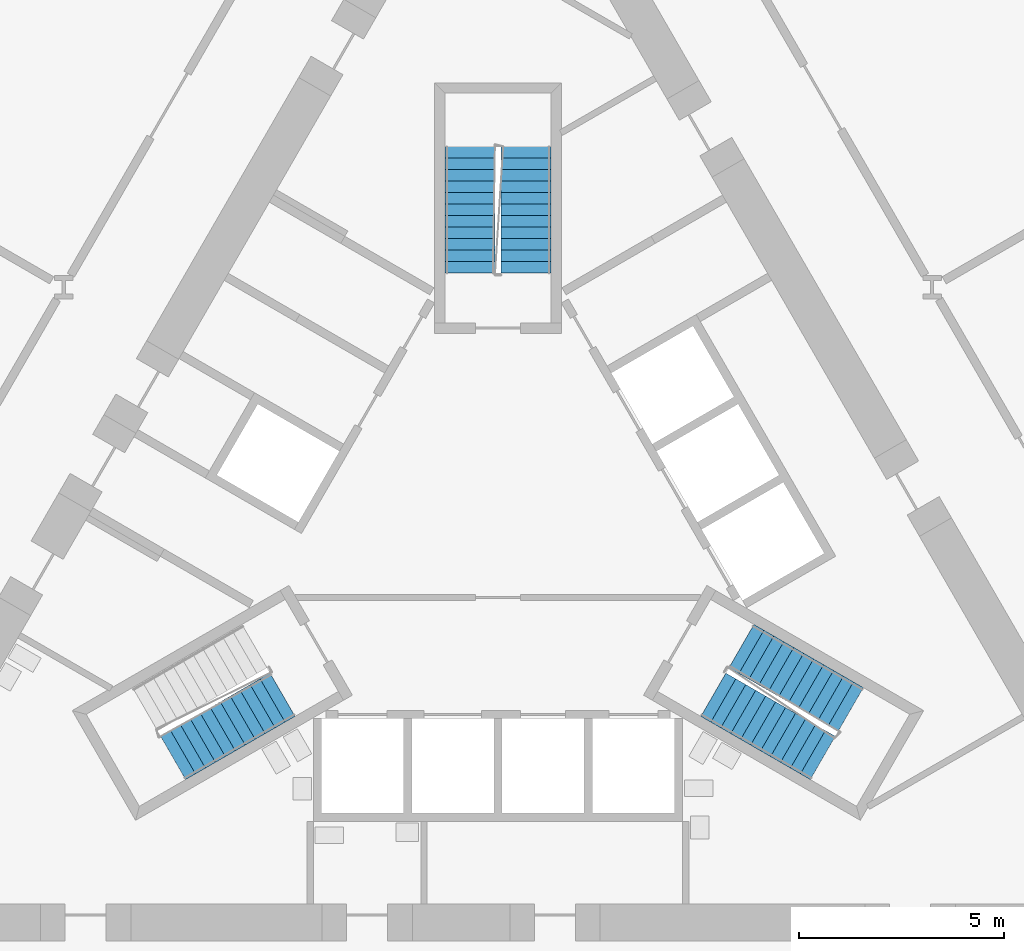
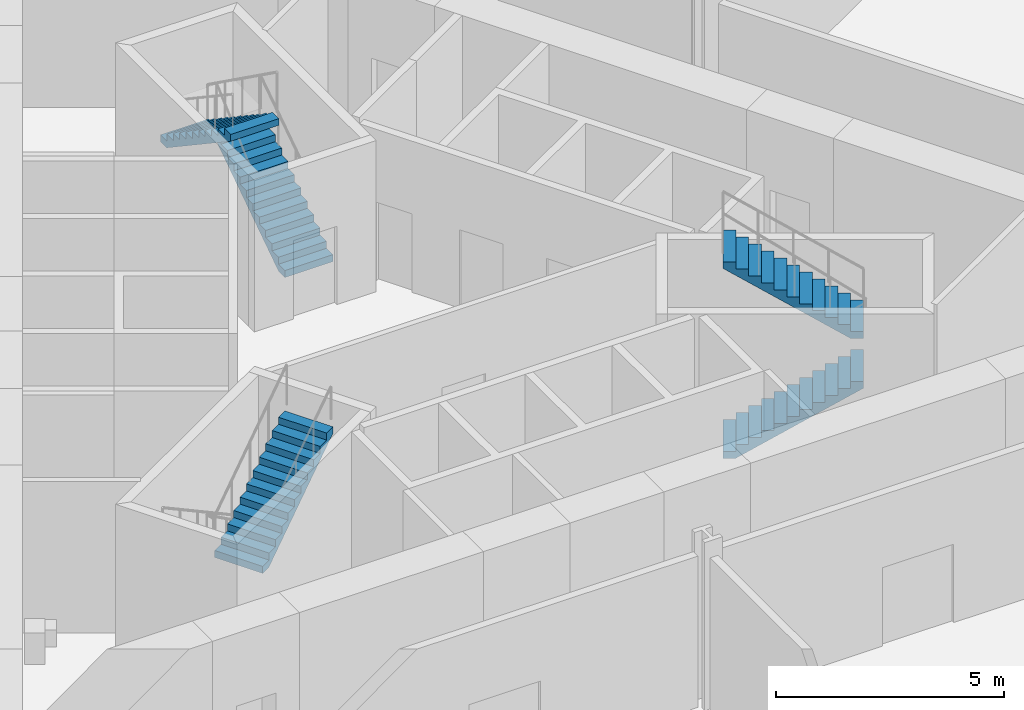
# One storey, part 6 of 8: 5 stair flights, 3 elements without a shape of their own.
"""IFC4 building model written with IfcOpenShell, lengths in metres."""

import ifcopenshell
import ifcopenshell.guid

model = None  # the IFC model being written
_history = None  # IfcOwnerHistory: only IFC2X3 demands one
_inside = {}  # id of a spatial element -> (the spatial element, [elements in it])
_under = {}  # id of a project, library or spatial element -> (it, [spatial elements below it])
_declared = {}  # id of a project -> (the project, [libraries it declares])
_typed = {}  # id of a type object -> (the type object, [elements of that type])
_made_of = {}  # id of a material, layer set ... -> (it, [elements and type objects made of it])


def new_model(schema):
    """Start an empty IFC model of exactly this schema.

    Asked for "IFC4X3", IfcOpenShell would pick the latest addendum, in which some entities
    have other attributes; the version numbers below select the first issue.
    IFC2X3 requires an IfcOwnerHistory on every rooted entity: one is made here for all.
    """
    global model, _history
    if schema == "IFC4X3":
        model = ifcopenshell.file(schema_version=(4, 3, 0, 0))
    else:
        model = ifcopenshell.file(schema=schema)
    _inside.clear()
    _under.clear()
    _declared.clear()
    _typed.clear()
    _made_of.clear()
    _history = None
    if model.schema == "IFC2X3":
        org = make("IfcOrganization", Name="unknown")
        user = make(
            "IfcPersonAndOrganization",
            ThePerson=make("IfcPerson", FamilyName="unknown"),
            TheOrganization=org,
        )
        app = make(
            "IfcApplication",
            ApplicationDeveloper=org,
            Version="unknown",
            ApplicationFullName="unknown",
            ApplicationIdentifier="unknown",
        )
        _history = make(
            "IfcOwnerHistory",
            OwningUser=user,
            OwningApplication=app,
            ChangeAction="ADDED",
            CreationDate=0,
        )
    return model


def make(cls, **values):
    """One entity of the class cls with the attributes given. An attribute that is None is left unset."""
    return model.create_entity(
        cls, **{name: value for name, value in values.items() if value is not None}
    )


def rooted(cls, **values):
    """An entity with a GlobalId (a new one), such as an element, a storey or a relation."""
    return make(cls, GlobalId=ifcopenshell.guid.new(), OwnerHistory=_history, **values)


def si_unit(unit_type, name, prefix=None):
    """IfcSIUnit, for example si_unit("LENGTHUNIT", "METRE", prefix="MILLI")."""
    return make("IfcSIUnit", UnitType=unit_type, Prefix=prefix, Name=name)


def assignment(units):
    """IfcUnitAssignment: the units of a project."""
    return None if units is None else make("IfcUnitAssignment", Units=units)


def point(xyz):
    """IfcCartesianPoint."""
    return None if xyz is None else make("IfcCartesianPoint", Coordinates=xyz)


def direction(xyz):
    """IfcDirection."""
    return None if xyz is None else make("IfcDirection", DirectionRatios=xyz)


def frame(location, z_axis=None, x_axis=None):
    """IfcAxis2Placement3D, a coordinate frame: its origin and axes. An axis left out is left unset."""
    return make(
        "IfcAxis2Placement3D",
        Location=point(location),
        Axis=direction(z_axis),
        RefDirection=direction(x_axis),
    )


def origin():
    """The frame at (0, 0, 0) with its axes left unset."""
    return frame((0.0, 0.0, 0.0))


def place(relative_to, where):
    """IfcLocalPlacement: puts the frame where relative to a parent placement (None: the world)."""
    return make(
        "IfcLocalPlacement", PlacementRelTo=relative_to, RelativePlacement=where
    )


def context(
    kind, dimensions, precision=None, world=None, true_north=None, identifier=None
):
    """IfcGeometricRepresentationContext, for example the 3D "Model" context."""
    return make(
        "IfcGeometricRepresentationContext",
        ContextIdentifier=identifier,
        ContextType=kind,
        CoordinateSpaceDimension=dimensions,
        Precision=precision,
        WorldCoordinateSystem=world,
        TrueNorth=true_north,
    )


def subcontext(parent, identifier, kind, view, scale=None):
    """IfcGeometricRepresentationSubContext, for example "Body" below "Model"."""
    return make(
        "IfcGeometricRepresentationSubContext",
        ContextIdentifier=identifier,
        ContextType=kind,
        ParentContext=parent,
        TargetScale=scale,
        TargetView=view,
    )


def project(units=None, contexts=None):
    """IfcProject with its units and contexts."""
    return rooted(
        "IfcProject",
        Name="project",
        RepresentationContexts=contexts,
        UnitsInContext=assignment(units),
    )


def spatial(cls, under=None, at=None, **own):
    """A site, building, storey or space (cls), placed at a placement, below another one or the project."""
    s = rooted(cls, ObjectPlacement=at, **own)
    if under is not None:
        _under.setdefault(under.id(), (under, []))[1].append(s)
    return s


def polyline(points):
    """IfcPolyline through the points."""
    return make("IfcPolyline", Points=[point(p) for p in points])


def outline(outer, holes=None, kind="AREA"):
    """IfcArbitraryClosedProfileDef: a profile drawn as a closed curve; with holes, ...WithVoids."""
    if holes is None:
        return make("IfcArbitraryClosedProfileDef", ProfileType=kind, OuterCurve=outer)
    return make(
        "IfcArbitraryProfileDefWithVoids",
        ProfileType=kind,
        OuterCurve=outer,
        InnerCurves=holes,
    )


def extrude(swept, where, along, depth):
    """IfcExtrudedAreaSolid: the profile swept, set in the frame where, extruded along a direction by depth."""
    return make(
        "IfcExtrudedAreaSolid",
        SweptArea=swept,
        Position=where,
        ExtrudedDirection=direction(along),
        Depth=depth,
    )


def shape(context_of_items, identifier, shape_type, items):
    """IfcShapeRepresentation: the items that make up one representation, for example the "Body"."""
    return make(
        "IfcShapeRepresentation",
        ContextOfItems=context_of_items,
        RepresentationIdentifier=identifier,
        RepresentationType=shape_type,
        Items=items,
    )


def material(Name=None, Category=None):
    """IfcMaterial."""
    return make("IfcMaterial", Name=Name, Category=Category)


def made_of(thing, what):
    """Note that an element or type object is made of a material, layer set ...; save() writes the relation."""
    if what is not None:
        _made_of.setdefault(what.id(), (what, []))[1].append(thing)
    return thing


def type_object(cls, material=None, **own):
    """A type object (cls), such as IfcWallType, which elements share."""
    return made_of(rooted(cls, **own), material)


def element(
    cls,
    number,
    at=None,
    inside=None,
    cuts=None,
    type_object=None,
    material=None,
    context=None,
    identifier="Body",
    shape_type=None,
    held_by="IfcProductDefinitionShape",
    body=None,
    shapes=None,
    **own,
):
    """One element of the class cls, such as IfcWall. Its Tag is "e" and its number.

    at: its placement. inside: the storey or other place that contains it. cuts: it is an
    opening in that element (IfcRelVoidsElement). A single representation is given by context,
    identifier, shape_type and body (its items); several are given by shapes. held_by: the class
    of the entity that holds the representations. save() writes the other relations.
    """
    e = rooted(cls, Tag="e%d" % number, ObjectPlacement=at, **own)
    if body is not None:
        shapes = [shape(context, identifier, shape_type, body)]
    if shapes is not None:
        e.Representation = make(held_by, Representations=shapes)
    if inside is not None:
        _inside.setdefault(inside.id(), (inside, []))[1].append(e)
    if cuts is not None:
        rooted(
            "IfcRelVoidsElement", RelatingBuildingElement=cuts, RelatedOpeningElement=e
        )
    if type_object is not None:
        _typed.setdefault(type_object.id(), (type_object, []))[1].append(e)
    return made_of(e, material)


def aggregate(whole, parts):
    """IfcRelAggregates: a whole, such as a stair, and the parts it consists of."""
    return rooted("IfcRelAggregates", RelatingObject=whole, RelatedObjects=parts)


def save(model, path):
    """Write the relations noted so far, then the file.

    IfcRelAggregates (storeys below a building ...), IfcRelContainedInSpatialStructure (elements
    in a storey), IfcRelDefinesByType, IfcRelAssociatesMaterial and IfcRelDeclares: one each for
    every whole, place, type object, material and project.
    """
    for whole, parts in _under.values():
        aggregate(whole, parts)
    for where, things in _inside.values():
        rooted(
            "IfcRelContainedInSpatialStructure",
            RelatedElements=things,
            RelatingStructure=where,
        )
    for kind, things in _typed.values():
        rooted("IfcRelDefinesByType", RelatedObjects=things, RelatingType=kind)
    for what, things in _made_of.values():
        rooted("IfcRelAssociatesMaterial", RelatedObjects=things, RelatingMaterial=what)
    for by, libraries in _declared.values():
        rooted("IfcRelDeclares", RelatingContext=by, RelatedDefinitions=libraries)
    model.write(path)


model = new_model("IFC4")

# Units and contexts
model_context = context("Model", 3, precision=1e-05, world=origin(), true_north=direction((0.0, 1.0)))
body_context = subcontext(model_context, "Body", "Model", "MODEL_VIEW")
ifc_project = project(units=[si_unit("LENGTHUNIT", "METRE"), si_unit("AREAUNIT", "SQUARE_METRE"), si_unit("VOLUMEUNIT", "CUBIC_METRE"), si_unit("PLANEANGLEUNIT", "RADIAN"), si_unit("MASSUNIT", "GRAM", prefix="KILO")], contexts=[model_context])

# Site, building, storey
site_placement = place(None, origin())
site = spatial("IfcSite", under=ifc_project, at=site_placement, CompositionType="ELEMENT")
building_placement = place(site_placement, origin())
building = spatial("IfcBuilding", under=site, at=building_placement, Name="Cormorant Prow Tower", CompositionType="ELEMENT")
storey_placement = place(building_placement, frame((0.0, 0.0, 21.0)))
storey = spatial("IfcBuildingStorey", under=building, at=storey_placement, Name="L03", CompositionType="ELEMENT", Elevation=21.0)

# Stair, stair flight
ifc_material_1 = material(Name="Exit stair 24 risers")
stair_type = type_object("IfcStairType", Name="Exit stair 24 risers", PredefinedType="HALF_TURN_STAIR", material=ifc_material_1)
stair_1_placement = place(storey_placement, origin())
stair_1 = element("IfcStair", 1, at=stair_1_placement, inside=storey, type_object=stair_type, Name="L03 Exit stair ST1", PredefinedType="HALF_TURN_STAIR")
ifc_material_2 = material(Name="Concrete 5000 psi", Category="concrete")
stair_flight_type = type_object("IfcStairFlightType", Name="Stair flight 1219", PredefinedType="STRAIGHT", material=ifc_material_2)
stair_flight_1_placement = place(storey_placement, frame((-7.916015625, -5.360595703125, 2.25), z_axis=(0.0, 0.0, 1.0), x_axis=(0.866025403784, 0.5, 0.0)))
stair_flight_1 = element("IfcStairFlight", 2, at=stair_flight_1_placement, type_object=stair_flight_type, Name="ST1 flight 2", NumberOfRisers=12, NumberOfTreads=11, PredefinedType="STRAIGHT", RiserHeight=0.1875, TreadLength=0.28, context=body_context, shape_type="SweptSolid", body=[
    extrude(outline(polyline([(0.0, 0.0), (0.0, 0.1875), (0.280029296875, 0.1875), (0.280029296875, 0.375), (0.56005859375, 0.375), (0.56005859375, 0.5625), (0.840087890625, 0.5625), (0.840087890625, 0.75), (1.1201171875, 0.75), (1.1201171875, 0.9375), (1.39990234375, 0.9375), (1.39990234375, 1.125), (1.679931640625, 1.125), (1.679931640625, 1.3125), (1.9599609375, 1.3125), (1.9599609375, 1.5), (2.239990234375, 1.5), (2.239990234375, 1.6875), (2.52001953125, 1.6875), (2.52001953125, 1.875), (2.800048828125, 1.875), (2.800048828125, 2.0625), (3.080078125, 2.0625), (3.080078125, 2.25), (3.080078125, 1.882080078125), (0.26953125, 0.0), (0.0, 0.0)])), frame((0.0, 0.609375, 0.0), z_axis=(0.0, -1.0, 0.0), x_axis=(1.0, 0.0, 0.0)), (0.0, 0.0, 1.0), 1.218994140625),
])
aggregate(stair_1, [stair_flight_1])

# Stair, stair flights
stair_2_placement = place(storey_placement, origin())
stair_2 = element("IfcStair", 3, at=stair_2_placement, inside=storey, type_object=stair_type, Name="L03 Exit stair ST2", PredefinedType="HALF_TURN_STAIR")
stair_flight_2_placement = place(storey_placement, frame((5.24853515625, -3.82080078125, 0.0), z_axis=(0.0, 0.0, 1.0), x_axis=(0.866025403784, -0.5, 0.0)))
stair_flight_2 = element("IfcStairFlight", 4, at=stair_flight_2_placement, type_object=stair_flight_type, Name="ST2 flight 1", NumberOfRisers=12, NumberOfTreads=11, PredefinedType="STRAIGHT", RiserHeight=0.1875, TreadLength=0.28, context=body_context, shape_type="SweptSolid", body=[
    extrude(outline(polyline([(0.0, 0.0), (0.0, 0.1875), (0.280029296875, 0.1875), (0.280029296875, 0.375), (0.56005859375, 0.375), (0.56005859375, 0.5625), (0.840087890625, 0.5625), (0.840087890625, 0.75), (1.1201171875, 0.75), (1.1201171875, 0.9375), (1.39990234375, 0.9375), (1.39990234375, 1.125), (1.679931640625, 1.125), (1.679931640625, 1.3125), (1.9599609375, 1.3125), (1.9599609375, 1.5), (2.239990234375, 1.5), (2.239990234375, 1.6875), (2.52001953125, 1.6875), (2.52001953125, 1.875), (2.800048828125, 1.875), (2.800048828125, 2.0625), (3.080078125, 2.0625), (3.080078125, 2.25), (3.080078125, 1.882080078125), (0.26953125, 0.0), (0.0, 0.0)])), frame((0.0, 0.609375, 0.0), z_axis=(0.0, -1.0, 0.0), x_axis=(1.0, 0.0, 0.0)), (0.0, 0.0, 1.0), 1.218994140625),
])
stair_flight_3_placement = place(storey_placement, frame((8.6005859375, -4.175048828125, 2.25), z_axis=(0.0, 0.0, 1.0), x_axis=(-0.866025403784, 0.5, 0.0)))
stair_flight_3 = element("IfcStairFlight", 5, at=stair_flight_3_placement, type_object=stair_flight_type, Name="ST2 flight 2", NumberOfRisers=12, NumberOfTreads=11, PredefinedType="STRAIGHT", RiserHeight=0.1875, TreadLength=0.28, context=body_context, shape_type="SweptSolid", body=[
    extrude(outline(polyline([(0.0, 0.0), (0.0, 0.1875), (0.280029296875, 0.1875), (0.280029296875, 0.375), (0.56005859375, 0.375), (0.56005859375, 0.5625), (0.840087890625, 0.5625), (0.840087890625, 0.75), (1.1201171875, 0.75), (1.1201171875, 0.9375), (1.39990234375, 0.9375), (1.39990234375, 1.125), (1.679931640625, 1.125), (1.679931640625, 1.3125), (1.9599609375, 1.3125), (1.9599609375, 1.5), (2.239990234375, 1.5), (2.239990234375, 1.6875), (2.52001953125, 1.6875), (2.52001953125, 1.875), (2.800048828125, 1.875), (2.800048828125, 2.0625), (3.080078125, 2.0625), (3.080078125, 2.25), (3.080078125, 1.882080078125), (0.26953125, 0.0), (0.0, 0.0)])), frame((0.0, 0.609375, 0.0), z_axis=(0.0, -1.0, 0.0), x_axis=(1.0, 0.0, 0.0)), (0.0, 0.0, 1.0), 1.218994140625),
])
aggregate(stair_2, [stair_flight_2, stair_flight_3])

stair_3_placement = place(storey_placement, origin())
stair_3 = element("IfcStair", 6, at=stair_3_placement, inside=storey, type_object=stair_type, Name="L03 Exit stair ST3", PredefinedType="HALF_TURN_STAIR")
stair_flight_4_placement = place(storey_placement, frame((0.6845703125, 6.455810546875, 0.0), z_axis=(0.0, 0.0, 1.0), x_axis=(0.0, 1.0, 0.0)))
stair_flight_4 = element("IfcStairFlight", 7, at=stair_flight_4_placement, type_object=stair_flight_type, Name="ST3 flight 1", NumberOfRisers=12, NumberOfTreads=11, PredefinedType="STRAIGHT", RiserHeight=0.1875, TreadLength=0.28, context=body_context, shape_type="SweptSolid", body=[
    extrude(outline(polyline([(0.0, 0.0), (0.0, 0.1875), (0.280029296875, 0.1875), (0.280029296875, 0.375), (0.56005859375, 0.375), (0.56005859375, 0.5625), (0.840087890625, 0.5625), (0.840087890625, 0.75), (1.1201171875, 0.75), (1.1201171875, 0.9375), (1.39990234375, 0.9375), (1.39990234375, 1.125), (1.679931640625, 1.125), (1.679931640625, 1.3125), (1.9599609375, 1.3125), (1.9599609375, 1.5), (2.239990234375, 1.5), (2.239990234375, 1.6875), (2.52001953125, 1.6875), (2.52001953125, 1.875), (2.800048828125, 1.875), (2.800048828125, 2.0625), (3.080078125, 2.0625), (3.080078125, 2.25), (3.080078125, 1.882080078125), (0.26953125, 0.0), (0.0, 0.0)])), frame((0.0, 0.609375, 0.0), z_axis=(0.0, -1.0, 0.0), x_axis=(1.0, 0.0, 0.0)), (0.0, 0.0, 1.0), 1.218994140625),
])
stair_flight_5_placement = place(storey_placement, frame((-0.6845703125, 9.535888671875, 2.25), z_axis=(0.0, 0.0, 1.0), x_axis=(0.0, -1.0, 0.0)))
stair_flight_5 = element("IfcStairFlight", 8, at=stair_flight_5_placement, type_object=stair_flight_type, Name="ST3 flight 2", NumberOfRisers=12, NumberOfTreads=11, PredefinedType="STRAIGHT", RiserHeight=0.1875, TreadLength=0.28, context=body_context, shape_type="SweptSolid", body=[
    extrude(outline(polyline([(0.0, 0.0), (0.0, 0.1875), (0.280029296875, 0.1875), (0.280029296875, 0.375), (0.56005859375, 0.375), (0.56005859375, 0.5625), (0.840087890625, 0.5625), (0.840087890625, 0.75), (1.1201171875, 0.75), (1.1201171875, 0.9375), (1.39990234375, 0.9375), (1.39990234375, 1.125), (1.679931640625, 1.125), (1.679931640625, 1.3125), (1.9599609375, 1.3125), (1.9599609375, 1.5), (2.239990234375, 1.5), (2.239990234375, 1.6875), (2.52001953125, 1.6875), (2.52001953125, 1.875), (2.800048828125, 1.875), (2.800048828125, 2.0625), (3.080078125, 2.0625), (3.080078125, 2.25), (3.080078125, 1.882080078125), (0.26953125, 0.0), (0.0, 0.0)])), frame((0.0, 0.609375, 0.0), z_axis=(0.0, -1.0, 0.0), x_axis=(1.0, 0.0, 0.0)), (0.0, 0.0, 1.0), 1.218994140625),
])
aggregate(stair_3, [stair_flight_4, stair_flight_5])

save(model, "model.ifc")
